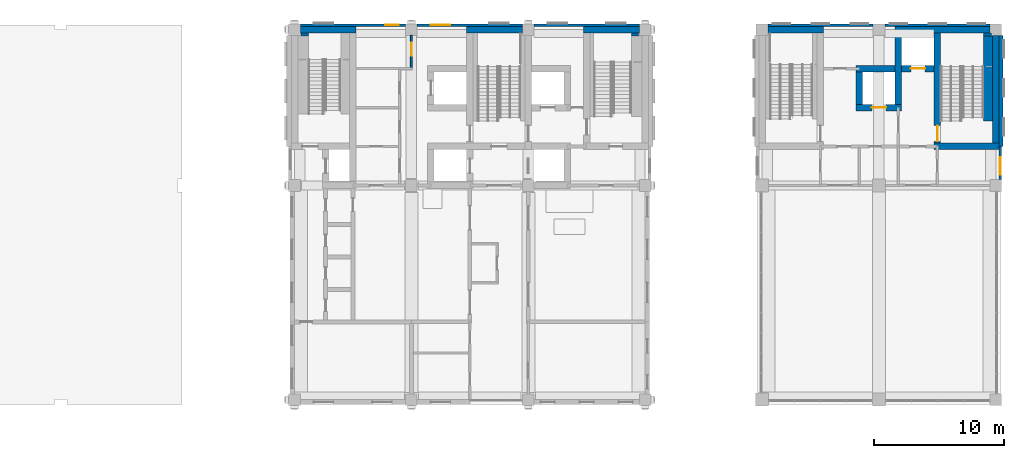
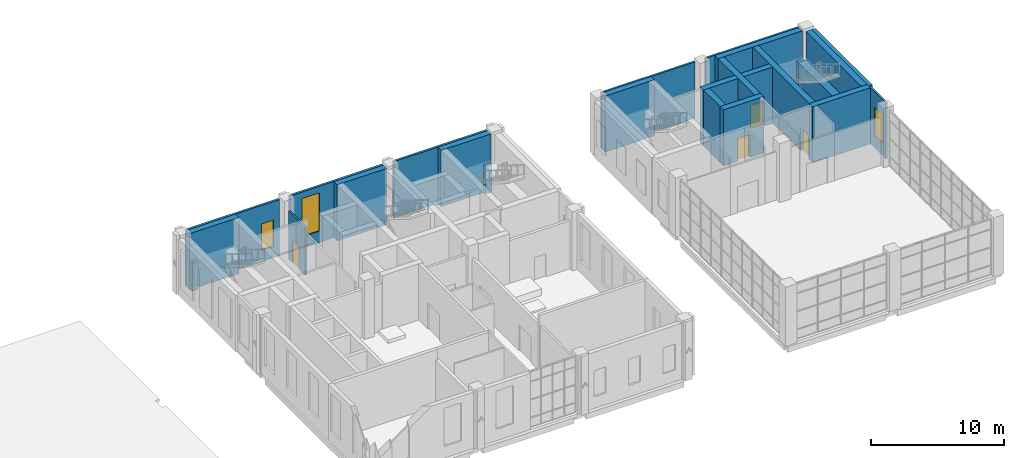
# One storey, part 24 of 33: 24 walls, 4 doors, 3 windows, 7 openings.
"""IFC4 building model written with IfcOpenShell, lengths in metres."""

from ifc_helpers import new_model, si_unit, direction, frame, frame_2d, origin, place, context, subcontext, project, spatial, rectangle, extrude, material, layer, layer_set, type_object, element, fill, save


model = new_model("IFC4")

# Units and contexts
model_context = context("Model", 3, precision=1e-05, world=origin(), true_north=direction((0.0, 1.0)))
body_context = subcontext(model_context, "Body", "Model", "MODEL_VIEW")
ifc_project = project(units=[si_unit("LENGTHUNIT", "METRE"), si_unit("AREAUNIT", "SQUARE_METRE"), si_unit("VOLUMEUNIT", "CUBIC_METRE"), si_unit("PLANEANGLEUNIT", "RADIAN"), si_unit("MASSUNIT", "GRAM", prefix="KILO")], contexts=[model_context])

# Site, building, storey
site_placement = place(None, origin())
site = spatial("IfcSite", under=ifc_project, at=site_placement, CompositionType="ELEMENT")
building_placement = place(site_placement, origin())
building = spatial("IfcBuilding", under=site, at=building_placement, Name="Aurelan Courthouse", CompositionType="ELEMENT")
storey_placement = place(building_placement, frame((0.0, 0.0, 22.800048828125)))
storey = spatial("IfcBuildingStorey", under=building, at=storey_placement, Name="L04", CompositionType="ELEMENT", Elevation=22.800048828125)

# Wall, opening, door
ifc_material_1 = material(Name="Gypsum board on metal studs")
ifc_layer_1 = layer(ifc_material_1, 0.14990234375)
ifc_layer_set_1 = layer_set([ifc_layer_1], Name="Gypsum board on metal studs")
wall_type_1 = type_object("IfcWallType", Name="Corridor partition 150 EI 60", PredefinedType="PARTITIONING", material=ifc_layer_set_1)
wall_1_placement = place(storey_placement, frame((45.0, 63.074951171875, 0.0), z_axis=(0.0, 0.0, 1.0), x_axis=(0.0, 1.0, 0.0)))
wall_1 = element("IfcWall", 1, at=wall_1_placement, inside=storey, type_object=wall_type_1, Name="Corridor partition L04-054", PredefinedType="PARTITIONING", context=body_context, shape_type="SweptSolid", body=[
    extrude(rectangle(XDim=2.47509765625, YDim=0.14990234375, at=frame_2d((1.237548828125, 0.0))), origin(), (0.0, 0.0, 1.0), 4.39990234375),
])
opening_1_placement = place(wall_1_placement, frame((0.925048828125, 0.0, 0.0)))
opening_1 = element("IfcOpeningElement", 2, at=opening_1_placement, cuts=wall_1, Name="Opening D-L04-031", PredefinedType="OPENING", context=body_context, shape_type="SweptSolid", body=[
    extrude(rectangle(XDim=1.0, YDim=2.10009765625, at=frame_2d((0.5, 1.050048828125))), frame((0.0, 0.0849609375, 0.0), z_axis=(0.0, -1.0, 0.0), x_axis=(1.0, 0.0, 0.0)), (0.0, 0.0, 1.0), 0.169921875),
])
ifc_material_2 = material(Name="Steel", Category="steel")
door_type_1 = type_object("IfcDoorType", Name="Single door 1000 x 2100 FD60", OperationType="SINGLE_SWING_LEFT", PredefinedType="DOOR", material=ifc_material_2)
door_1_placement = place(opening_1_placement, origin())
door_1 = element("IfcDoor", 3, at=door_1_placement, inside=storey, type_object=door_type_1, Name="Single door D-L04-031", OperationType="SINGLE_SWING_LEFT", OverallHeight=2.10009765625, OverallWidth=1.0, PredefinedType="DOOR", context=body_context, shape_type="SweptSolid", body=[
    extrude(rectangle(XDim=1.0, YDim=2.10009765625, at=frame_2d((0.5, 1.050048828125))), frame((0.0, 0.02490234375, 0.0), z_axis=(0.0, -1.0, 0.0), x_axis=(1.0, 0.0, 0.0)), (0.0, 0.0, 1.0), 0.050048828125),
])
fill(opening_1, door_1)

# Wall, opening, window
ifc_material_3 = material(Name="Limestone cladding", Category="masonry")
ifc_layer_2 = layer(ifc_material_3, 0.054931640625, Name="Facing")
ifc_material_4 = material(Name="Ventilated cavity")
ifc_layer_3 = layer(ifc_material_4, 0.02490234375, ventilated=True, Name="Ventilated cavity")
ifc_material_5 = material(Name="Mineral wool insulation")
ifc_layer_4 = layer(ifc_material_5, 0.030029296875, Name="Insulation")
ifc_material_6 = material(Name="Concrete C30", Category="concrete")
ifc_layer_5 = layer(ifc_material_6, 0.090087890625, Name="Structure")
ifc_layer_set_2 = layer_set([ifc_layer_2, ifc_layer_3, ifc_layer_4, ifc_layer_5], Name="Concrete C30")
wall_type_2 = type_object("IfcWallType", Name="Courtroom Block stone-faced wall 200", PredefinedType="SOLIDWALL", material=ifc_layer_set_2)
wall_2_placement = place(storey_placement, frame((36.449951171875, 66.35009765625, 0.0), z_axis=(0.0, 0.0, 1.0), x_axis=(1.0, 0.0, 0.0)))
wall_2 = element("IfcWall", 4, at=wall_2_placement, inside=storey, type_object=wall_type_2, Name="Facade wall FW-V2-L04-004", PredefinedType="SOLIDWALL", context=body_context, shape_type="SweptSolid", body=[
    extrude(rectangle(XDim=8.10009765625, YDim=0.199951171875, at=frame_2d((4.050048828125, 0.0))), origin(), (0.0, 0.0, 1.0), 5.14990234375),
])
opening_2_placement = place(wall_2_placement, frame((6.52490234375, 0.0, 1.050048828125)))
opening_2 = element("IfcOpeningElement", 5, at=opening_2_placement, cuts=wall_2, Name="Opening WN-V2-L04-007", PredefinedType="OPENING", context=body_context, shape_type="SweptSolid", body=[
    extrude(rectangle(XDim=1.050048828125, YDim=2.39990234375, at=frame_2d((0.52490234375, 1.199951171875))), frame((0.0, 0.10986328125, 0.0), z_axis=(0.0, -1.0, 0.0), x_axis=(1.0, 0.0, 0.0)), (0.0, 0.0, 1.0), 0.219970703125),
])
ifc_material_7 = material(Name="Bronze-finished aluminium and glass", Category="aluminium")
window_type_1 = type_object("IfcWindowType", Name="Courtroom Block window 1050 x 2400, sill 1050", PartitioningType="SINGLE_PANEL", PredefinedType="WINDOW", material=ifc_material_7)
window_1_placement = place(opening_2_placement, origin())
window_1 = element("IfcWindow", 6, at=window_1_placement, inside=storey, type_object=window_type_1, Name="Window WN-V2-L04-007", OverallHeight=2.39990234375, OverallWidth=1.050048828125, PartitioningType="SINGLE_PANEL", PredefinedType="WINDOW", context=body_context, shape_type="SweptSolid", body=[
    extrude(rectangle(XDim=1.050048828125, YDim=2.39990234375, at=frame_2d((0.52490234375, 1.199951171875))), frame((0.0, 0.030029296875, 0.0), z_axis=(0.0, -1.0, 0.0), x_axis=(1.0, 0.0, 0.0)), (0.0, 0.0, 1.0), 0.06005859375),
])
fill(opening_2, window_1)

wall_3_placement = place(storey_placement, frame((45.449951171875, 66.35009765625, 0.0), z_axis=(0.0, 0.0, 1.0), x_axis=(1.0, 0.0, 0.0)))
wall_3 = element("IfcWall", 7, at=wall_3_placement, inside=storey, type_object=wall_type_2, Name="Facade wall FW-V2-L04-005", PredefinedType="SOLIDWALL", context=body_context, shape_type="SweptSolid", body=[
    extrude(rectangle(XDim=8.10009765625, YDim=0.199951171875, at=frame_2d((4.050048828125, 0.0))), origin(), (0.0, 0.0, 1.0), 5.14990234375),
])
opening_3_placement = place(wall_3_placement, frame((1.050048828125, 0.0, 1.050048828125)))
opening_3 = element("IfcOpeningElement", 8, at=opening_3_placement, cuts=wall_3, Name="Opening WN-V2-L04-008", PredefinedType="OPENING", context=body_context, shape_type="SweptSolid", body=[
    extrude(rectangle(XDim=1.5, YDim=3.5, at=frame_2d((0.75, 1.75))), frame((0.0, 0.10986328125, 0.0), z_axis=(0.0, -1.0, 0.0), x_axis=(1.0, 0.0, 0.0)), (0.0, 0.0, 1.0), 0.219970703125),
])
window_type_2 = type_object("IfcWindowType", Name="Courtroom Block glazed slot 1500 x 3500, sill 1050", PartitioningType="SINGLE_PANEL", PredefinedType="WINDOW", material=ifc_material_7)
window_2_placement = place(opening_3_placement, origin())
window_2 = element("IfcWindow", 9, at=window_2_placement, inside=storey, type_object=window_type_2, Name="Glazed slot WN-V2-L04-008", OverallHeight=3.5, OverallWidth=1.5, PartitioningType="SINGLE_PANEL", PredefinedType="WINDOW", context=body_context, shape_type="SweptSolid", body=[
    extrude(rectangle(XDim=1.5, YDim=3.5, at=frame_2d((0.75, 1.75))), frame((0.0, 0.030029296875, 0.0), z_axis=(0.0, -1.0, 0.0), x_axis=(1.0, 0.0, 0.0)), (0.0, 0.0, 1.0), 0.06005859375),
])
fill(opening_3, window_2)

# Walls
wall_4_placement = place(storey_placement, frame((54.449951171875, 66.35009765625, 0.0), z_axis=(0.0, 0.0, 1.0), x_axis=(1.0, 0.0, 0.0)))
element("IfcWall", 10, at=wall_4_placement, inside=storey, type_object=wall_type_2, Name="Facade wall FW-V2-L04-006", PredefinedType="SOLIDWALL", context=body_context, shape_type="SweptSolid", body=[
    extrude(rectangle(XDim=8.10009765625, YDim=0.199951171875, at=frame_2d((4.050048828125, 0.0))), origin(), (0.0, 0.0, 1.0), 5.14990234375),
])
ifc_layer_6 = layer(ifc_material_3, 0.050048828125, Name="Facing")
ifc_layer_7 = layer(ifc_material_4, 0.02490234375, ventilated=True, Name="Ventilated cavity")
ifc_layer_8 = layer(ifc_material_5, 0.02490234375, Name="Insulation")
ifc_layer_9 = layer(ifc_material_6, 0.070068359375, Name="Structure")
ifc_layer_set_3 = layer_set([ifc_layer_6, ifc_layer_7, ifc_layer_8, ifc_layer_9], Name="Concrete C30")
wall_type_3 = type_object("IfcWallType", Name="Law Library stone-faced wall 170", PredefinedType="SOLIDWALL", material=ifc_layer_set_3)
for number, where, z_axis, x_axis, name in (
    (11, (72.449951171875, 66.3349609375, 0.0), (0.0, 0.0, 1.0), (1.0, 0.0, 0.0), "Facade wall FW-V3-L04-001"),
    (12, (81.449951171875, 66.3349609375, 0.0), (0.0, 0.0, 1.0), (1.0, 0.0, 0.0), "Facade wall FW-V3-L04-002"),
):
    element("IfcWall", number, at=place(storey_placement, frame(where, z_axis=z_axis, x_axis=x_axis)), inside=storey, type_object=wall_type_3, Name=name, PredefinedType="SOLIDWALL", context=body_context, shape_type="SweptSolid", body=[
        extrude(rectangle(XDim=8.10009765625, YDim=0.169921875, at=frame_2d((4.050048828125, 0.0))), origin(), (0.0, 0.0, 1.0), 5.14990234375),
    ])

# Wall, opening, window
wall_5_placement = place(storey_placement, frame((90.3349609375, 54.449951171875, 0.0), z_axis=(0.0, 0.0, 1.0), x_axis=(0.0, 1.0, 0.0)))
wall_5 = element("IfcWall", 13, at=wall_5_placement, inside=storey, type_object=wall_type_3, Name="Facade wall FW-V3-L04-003", PredefinedType="SOLIDWALL", context=body_context, shape_type="SweptSolid", body=[
    extrude(rectangle(XDim=2.550048828125, YDim=0.169921875, at=frame_2d((1.27490234375, 0.0))), origin(), (0.0, 0.0, 1.0), 5.14990234375),
])
opening_4_placement = place(wall_5_placement, frame((0.375, 0.0, 1.199951171875)))
opening_4 = element("IfcOpeningElement", 14, at=opening_4_placement, cuts=wall_5, Name="Opening WN-V3-L04-001", PredefinedType="OPENING", context=body_context, shape_type="SweptSolid", body=[
    extrude(rectangle(XDim=1.35009765625, YDim=2.550048828125, at=frame_2d((0.675048828125, 1.27490234375))), frame((0.0, 0.094970703125, 0.0), z_axis=(0.0, -1.0, 0.0), x_axis=(1.0, 0.0, 0.0)), (0.0, 0.0, 1.0), 0.18994140625),
])
window_type_3 = type_object("IfcWindowType", Name="Law Library window 1350 x 2550, sill 1200", PartitioningType="SINGLE_PANEL", PredefinedType="WINDOW", material=ifc_material_7)
window_3_placement = place(opening_4_placement, origin())
window_3 = element("IfcWindow", 15, at=window_3_placement, inside=storey, type_object=window_type_3, Name="Window WN-V3-L04-001", OverallHeight=2.550048828125, OverallWidth=1.35009765625, PartitioningType="SINGLE_PANEL", PredefinedType="WINDOW", context=body_context, shape_type="SweptSolid", body=[
    extrude(rectangle(XDim=1.35009765625, YDim=2.550048828125, at=frame_2d((0.675048828125, 1.27490234375))), frame((0.0, 0.030029296875, 0.0), z_axis=(0.0, -1.0, 0.0), x_axis=(1.0, 0.0, 0.0)), (0.0, 0.0, 1.0), 0.06005859375),
])
fill(opening_4, window_3)

# Walls
ifc_layer_10 = layer(ifc_material_3, 0.090087890625, Name="Facing")
ifc_layer_11 = layer(ifc_material_4, 0.02490234375, ventilated=True, Name="Ventilated cavity")
ifc_layer_12 = layer(ifc_material_5, 0.044921875, Name="Insulation")
ifc_layer_13 = layer(ifc_material_6, 0.159912109375, Name="Structure")
ifc_layer_set_4 = layer_set([ifc_layer_10, ifc_layer_11, ifc_layer_12, ifc_layer_13], Name="Concrete C30")
wall_type_4 = type_object("IfcWallType", Name="Law Library stone-faced wall 320", PredefinedType="SOLIDWALL", material=ifc_layer_set_4)
wall_6_placement = place(storey_placement, frame((90.409912109375, 57.0, 0.0), z_axis=(0.0, 0.0, 1.0), x_axis=(0.0, 1.0, 0.0)))
element("IfcWall", 16, at=wall_6_placement, inside=storey, type_object=wall_type_4, Name="Facade wall FW-V3-L04-004", PredefinedType="SOLIDWALL", context=body_context, shape_type="SweptSolid", body=[
    extrude(rectangle(XDim=8.550048828125, YDim=0.320068359375, at=frame_2d((4.27490234375, 0.0))), origin(), (0.0, 0.0, 1.0), 5.14990234375),
])
ifc_material_8 = material(Name="Concrete C50", Category="concrete")
ifc_layer_14 = layer(ifc_material_8, 0.5)
ifc_layer_set_5 = layer_set([ifc_layer_14], Name="Concrete C50")
wall_type_5 = type_object("IfcWallType", Name="RC shear wall 500", PredefinedType="SHEAR", material=ifc_layer_set_5)
wall_7_placement = place(storey_placement, frame((85.25, 57.0, 0.0), z_axis=(0.0, 0.0, 1.0), x_axis=(1.0, 0.0, 0.0)))
element("IfcWall", 17, at=wall_7_placement, inside=storey, type_object=wall_type_5, Name="Core wall SW-L04-029", PredefinedType="SHEAR", context=body_context, shape_type="SweptSolid", body=[
    extrude(rectangle(XDim=5.0, YDim=0.5, at=frame_2d((2.5, 0.0))), origin(), (0.0, 0.0, 1.0), 5.14990234375),
])

# Wall, opening, door
wall_8_placement = place(storey_placement, frame((85.5, 57.25, 0.0), z_axis=(0.0, 0.0, 1.0), x_axis=(0.0, 1.0, 0.0)))
wall_8 = element("IfcWall", 18, at=wall_8_placement, inside=storey, type_object=wall_type_5, Name="Core wall SW-L04-035", PredefinedType="SHEAR", context=body_context, shape_type="SweptSolid", body=[
    extrude(rectangle(XDim=8.5, YDim=0.5, at=frame_2d((4.25, 0.0))), origin(), (0.0, 0.0, 1.0), 5.14990234375),
])
opening_5_placement = place(wall_8_placement, frame((1.349853515625, 0.0, 0.0), z_axis=(0.0, 0.0, 1.0), x_axis=(-1.0, 0.0, 0.0)))
opening_5 = element("IfcOpeningElement", 19, at=opening_5_placement, cuts=wall_8, Name="Opening D-L04-040", PredefinedType="OPENING", context=body_context, shape_type="SweptSolid", body=[
    extrude(rectangle(XDim=1.199951171875, YDim=2.10009765625, at=frame_2d((0.60009765625, 1.050048828125))), frame((0.0, 0.260009765625, 0.0), z_axis=(0.0, -1.0, 0.0), x_axis=(1.0, 0.0, 0.0)), (0.0, 0.0, 1.0), 0.52001953125),
])
door_type_2 = type_object("IfcDoorType", Name="Single door 1200 x 2100 FD90", OperationType="SINGLE_SWING_LEFT", PredefinedType="DOOR", material=ifc_material_2)
door_2_placement = place(opening_5_placement, origin())
door_2 = element("IfcDoor", 20, at=door_2_placement, inside=storey, type_object=door_type_2, Name="Single door D-L04-040", OperationType="SINGLE_SWING_RIGHT", OverallHeight=2.10009765625, OverallWidth=1.199951171875, PredefinedType="DOOR", context=body_context, shape_type="SweptSolid", body=[
    extrude(rectangle(XDim=1.199951171875, YDim=2.10009765625, at=frame_2d((0.60009765625, 1.050048828125))), frame((0.0, 0.02490234375, 0.0), z_axis=(0.0, -1.0, 0.0), x_axis=(1.0, 0.0, 0.0)), (0.0, 0.0, 1.0), 0.050048828125),
])
fill(opening_5, door_2)

# Wall
wall_9_placement = place(storey_placement, frame((90.0, 57.25, 0.0), z_axis=(0.0, 0.0, 1.0), x_axis=(0.0, 1.0, 0.0)))
element("IfcWall", 21, at=wall_9_placement, inside=storey, type_object=wall_type_5, Name="Core wall SW-L04-036", PredefinedType="SHEAR", context=body_context, shape_type="SweptSolid", body=[
    extrude(rectangle(XDim=8.300048828125, YDim=0.5, at=frame_2d((4.14990234375, 0.0))), origin(), (0.0, 0.0, 1.0), 5.14990234375),
])

# Wall, opening, door
wall_10_placement = place(storey_placement, frame((79.25, 60.0, 0.0), z_axis=(0.0, 0.0, 1.0), x_axis=(1.0, 0.0, 0.0)))
wall_10 = element("IfcWall", 22, at=wall_10_placement, inside=storey, type_object=wall_type_5, Name="Core wall SW-L04-039", PredefinedType="SHEAR", context=body_context, shape_type="SweptSolid", body=[
    extrude(rectangle(XDim=3.5, YDim=0.5, at=frame_2d((1.75, 0.0))), origin(), (0.0, 0.0, 1.0), 5.14990234375),
])
opening_6_placement = place(wall_10_placement, frame((1.199951171875, 0.0, 0.0)))
opening_6 = element("IfcOpeningElement", 23, at=opening_6_placement, cuts=wall_10, Name="Opening LD-V3-P1-L04", PredefinedType="OPENING", context=body_context, shape_type="SweptSolid", body=[
    extrude(rectangle(XDim=1.10009765625, YDim=2.10009765625, at=frame_2d((0.550048828125, 1.050048828125))), frame((0.0, 0.260009765625, 0.0), z_axis=(0.0, -1.0, 0.0), x_axis=(1.0, 0.0, 0.0)), (0.0, 0.0, 1.0), 0.52001953125),
])
door_type_3 = type_object("IfcDoorType", Name="Lift landing door 1100 x 2100 FD90", OperationType="SLIDING_TO_LEFT", PredefinedType="DOOR", material=ifc_material_2)
door_3_placement = place(opening_6_placement, origin())
door_3 = element("IfcDoor", 24, at=door_3_placement, inside=storey, type_object=door_type_3, Name="Lift landing door LD-V3-P1-L04", OperationType="SLIDING_TO_LEFT", OverallHeight=2.10009765625, OverallWidth=1.10009765625, PredefinedType="DOOR", context=body_context, shape_type="SweptSolid", body=[
    extrude(rectangle(XDim=1.10009765625, YDim=2.10009765625, at=frame_2d((0.550048828125, 1.050048828125))), frame((0.0, 0.02490234375, 0.0), z_axis=(0.0, -1.0, 0.0), x_axis=(1.0, 0.0, 0.0)), (0.0, 0.0, 1.0), 0.050048828125),
])
fill(opening_6, door_3)

# Walls
wall_11_placement = place(storey_placement, frame((79.5, 60.25, 0.0), z_axis=(0.0, 0.0, 1.0), x_axis=(0.0, 1.0, 0.0)))
element("IfcWall", 25, at=wall_11_placement, inside=storey, type_object=wall_type_5, Name="Core wall SW-L04-042", PredefinedType="SHEAR", context=body_context, shape_type="SweptSolid", body=[
    extrude(rectangle(XDim=2.5, YDim=0.5, at=frame_2d((1.25, 0.0))), origin(), (0.0, 0.0, 1.0), 5.14990234375),
])
wall_12_placement = place(storey_placement, frame((82.5, 60.25, 0.0), z_axis=(0.0, 0.0, 1.0), x_axis=(0.0, 1.0, 0.0)))
element("IfcWall", 26, at=wall_12_placement, inside=storey, type_object=wall_type_5, Name="Core wall SW-L04-043", PredefinedType="SHEAR", context=body_context, shape_type="SweptSolid", body=[
    extrude(rectangle(XDim=5.5, YDim=0.5, at=frame_2d((2.75, 0.0))), origin(), (0.0, 0.0, 1.0), 5.14990234375),
])

# Wall, opening, door
wall_13_placement = place(storey_placement, frame((79.25, 63.0, 0.0), z_axis=(0.0, 0.0, 1.0), x_axis=(1.0, 0.0, 0.0)))
wall_13 = element("IfcWall", 27, at=wall_13_placement, inside=storey, type_object=wall_type_5, Name="Core wall SW-L04-046", PredefinedType="SHEAR", context=body_context, shape_type="SweptSolid", body=[
    extrude(rectangle(XDim=6.0, YDim=0.5, at=frame_2d((3.0, 0.0))), origin(), (0.0, 0.0, 1.0), 5.14990234375),
])
opening_7_placement = place(wall_13_placement, frame((4.199951171875, 0.0, 0.0)))
opening_7 = element("IfcOpeningElement", 28, at=opening_7_placement, cuts=wall_13, Name="Opening LD-V3-F1-L04", PredefinedType="OPENING", context=body_context, shape_type="SweptSolid", body=[
    extrude(rectangle(XDim=1.10009765625, YDim=2.10009765625, at=frame_2d((0.550048828125, 1.050048828125))), frame((0.0, 0.260009765625, 0.0), z_axis=(0.0, -1.0, 0.0), x_axis=(1.0, 0.0, 0.0)), (0.0, 0.0, 1.0), 0.52001953125),
])
door_4_placement = place(opening_7_placement, origin())
door_4 = element("IfcDoor", 29, at=door_4_placement, inside=storey, type_object=door_type_3, Name="Lift landing door LD-V3-F1-L04", OperationType="SLIDING_TO_LEFT", OverallHeight=2.10009765625, OverallWidth=1.10009765625, PredefinedType="DOOR", context=body_context, shape_type="SweptSolid", body=[
    extrude(rectangle(XDim=1.10009765625, YDim=2.10009765625, at=frame_2d((0.550048828125, 1.050048828125))), frame((0.0, 0.02490234375, 0.0), z_axis=(0.0, -1.0, 0.0), x_axis=(1.0, 0.0, 0.0)), (0.0, 0.0, 1.0), 0.050048828125),
])
fill(opening_7, door_4)

# Walls
for number, where, z_axis, x_axis, name in (
    (30, (36.449951171875, 66.0, 0.0), (0.0, 0.0, 1.0), (1.0, 0.0, 0.0), "Core wall SW-L04-047"),
    (31, (49.25, 66.0, 0.0), (0.0, 0.0, 1.0), (1.0, 0.0, 0.0), "Core wall SW-L04-048"),
    (32, (58.25, 66.0, 0.0), (0.0, 0.0, 1.0), (1.0, 0.0, 0.0), "Core wall SW-L04-049"),
    (33, (72.449951171875, 66.0, 0.0), (0.0, 0.0, 1.0), (1.0, 0.0, 0.0), "Core wall SW-L04-050"),
):
    element("IfcWall", number, at=place(storey_placement, frame(where, z_axis=z_axis, x_axis=x_axis)), inside=storey, type_object=wall_type_5, Name=name, PredefinedType="SHEAR", context=body_context, shape_type="SweptSolid", body=[
        extrude(rectangle(XDim=4.300048828125, YDim=0.5, at=frame_2d((2.14990234375, 0.0))), origin(), (0.0, 0.0, 1.0), 5.14990234375),
    ])
wall_14_placement = place(storey_placement, frame((82.25, 66.0, 0.0), z_axis=(0.0, 0.0, 1.0), x_axis=(1.0, 0.0, 0.0)))
element("IfcWall", 34, at=wall_14_placement, inside=storey, type_object=wall_type_5, Name="Core wall SW-L04-051", PredefinedType="SHEAR", context=body_context, shape_type="SweptSolid", body=[
    extrude(rectangle(XDim=7.300048828125, YDim=0.5, at=frame_2d((3.64990234375, 0.0))), origin(), (0.0, 0.0, 1.0), 5.14990234375),
])
ifc_layer_15 = layer(ifc_material_6, 0.56005859375)
ifc_layer_set_6 = layer_set([ifc_layer_15], Name="Concrete C30")
wall_type_6 = type_object("IfcWallType", Name="Stair well wall 560 EI 120 load-bearing", PredefinedType="SHEAR", material=ifc_layer_set_6)
for number, where, z_axis, x_axis, name in (
    (35, (36.780029296875, 65.5, 0.0), (0.0, 0.0, 1.0), (0.0, 1.0, 0.0), "Stair well wall CS-2-L04 A2"),
    (36, (62.219970703125, 65.5, 0.0), (0.0, 0.0, 1.0), (0.0, 1.0, 0.0), "Stair well wall ST-2E-L04 B2"),
):
    element("IfcWall", number, at=place(storey_placement, frame(where, z_axis=z_axis, x_axis=x_axis)), inside=storey, type_object=wall_type_6, Name=name, PredefinedType="SHEAR", context=body_context, shape_type="SweptSolid", body=[
        extrude(rectangle(XDim=0.25, YDim=0.56005859375, at=frame_2d((0.125, 0.0))), origin(), (0.0, 0.0, 1.0), 2.587158203125),
    ])
ifc_layer_16 = layer(ifc_material_6, 0.60009765625)
ifc_layer_set_7 = layer_set([ifc_layer_16], Name="Concrete C30")
wall_type_7 = type_object("IfcWallType", Name="Stair well wall 600 EI 120 load-bearing", PredefinedType="SHEAR", material=ifc_layer_set_7)
wall_15_placement = place(storey_placement, frame((89.35009765625, 65.5, 0.0), z_axis=(0.0, 0.0, 1.0), x_axis=(0.0, 1.0, 0.0)))
element("IfcWall", 37, at=wall_15_placement, inside=storey, type_object=wall_type_7, Name="Stair well wall ST-3B-L04 B2", PredefinedType="SHEAR", context=body_context, shape_type="SweptSolid", body=[
    extrude(rectangle(XDim=0.25, YDim=0.60009765625, at=frame_2d((0.125, 0.0))), origin(), (0.0, 0.0, 1.0), 2.587158203125),
])
ifc_layer_17 = layer(ifc_material_6, 0.699951171875)
ifc_layer_set_8 = layer_set([ifc_layer_17], Name="Concrete C30")
wall_type_8 = type_object("IfcWallType", Name="Stair well wall 700 EI 120 load-bearing", PredefinedType="SHEAR", material=ifc_layer_set_8)
wall_16_placement = place(storey_placement, frame((89.39990234375, 58.9599609375, 0.0), z_axis=(0.0, 0.0, 1.0), x_axis=(0.0, 1.0, 0.0)))
element("IfcWall", 38, at=wall_16_placement, inside=storey, type_object=wall_type_8, Name="Stair well wall ST-3B-L04 B", PredefinedType="SHEAR", context=body_context, shape_type="SweptSolid", body=[
    extrude(rectangle(XDim=6.5400390625, YDim=0.699951171875, at=frame_2d((3.27001953125, 0.0))), origin(), (0.0, 0.0, 1.0), 2.587158203125),
])

save(model, "model.ifc")
